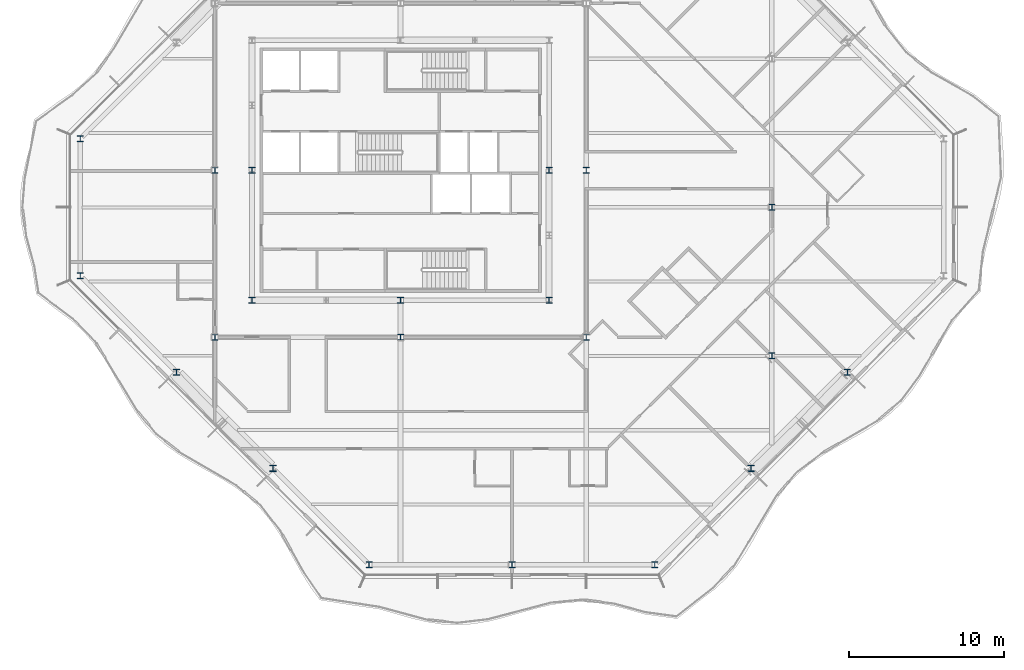
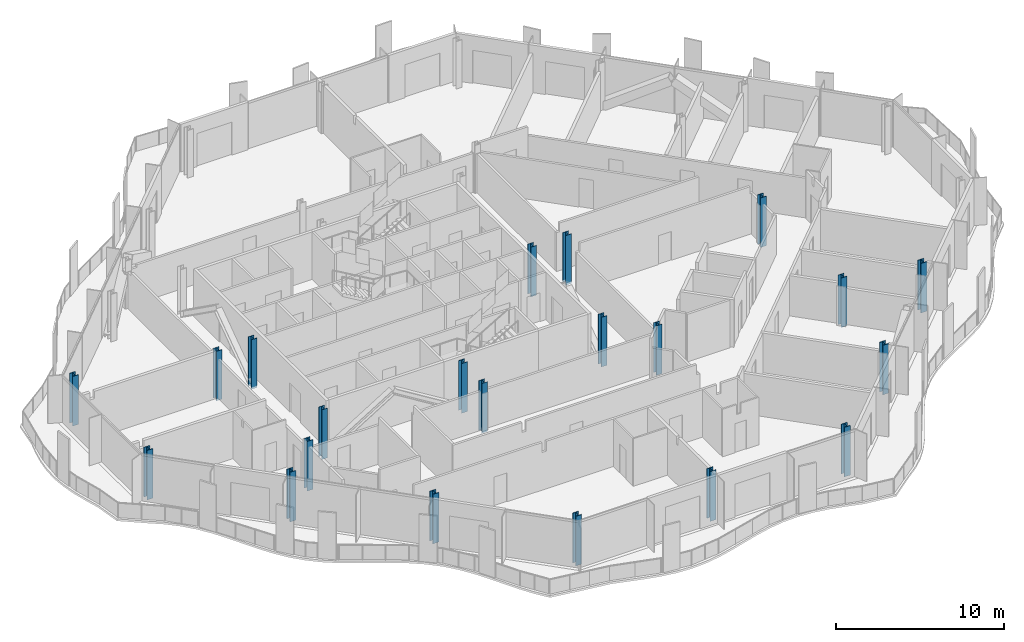
# One storey, part 1 of 17: 21 columns.
"""IFC4 building model written with IfcOpenShell, lengths in metres."""

from ifc_helpers import new_model, si_unit, direction, frame, origin, origin_2d, place, context, subcontext, project, spatial, i_section, extrude, material, material_profile, profile_set, type_object, element, save


model = new_model("IFC4")

# Units and contexts
model_context = context("Model", 3, precision=1e-05, world=origin(), true_north=direction((0.0, 1.0)))
body_context = subcontext(model_context, "Body", "Model", "MODEL_VIEW")
ifc_project = project(units=[si_unit("LENGTHUNIT", "METRE"), si_unit("AREAUNIT", "SQUARE_METRE"), si_unit("VOLUMEUNIT", "CUBIC_METRE"), si_unit("PLANEANGLEUNIT", "RADIAN"), si_unit("MASSUNIT", "GRAM", prefix="KILO")], contexts=[model_context])

# Site, building, storey
site_placement = place(None, origin())
site = spatial("IfcSite", under=ifc_project, at=site_placement, CompositionType="ELEMENT")
building_placement = place(site_placement, origin())
building = spatial("IfcBuilding", under=site, at=building_placement, Name="Cairn Pilgrim Tower", CompositionType="ELEMENT")
storey_placement = place(building_placement, frame((0.0, 0.0, 246.60009765625)))
storey = spatial("IfcBuildingStorey", under=building, at=storey_placement, Name="L63", CompositionType="ELEMENT", Elevation=246.60009765625)

# Columns
ifc_material_1 = material(Name="Structural steel S355J2", Category="steel")
ifc_material_profile_1 = material_profile(ifc_material_1, i_section(OverallWidth=0.39404296875, OverallDepth=0.375, WebThickness=0.017333984375, FlangeThickness=0.027587890625, FilletRadius=0.014892578125, at=origin_2d()), Name="HD 400x216")
ifc_profile_set_1 = profile_set([ifc_material_profile_1], Name="Structural steel S355J2")
column_type_1 = type_object("IfcColumnType", Name="HD 400x216", PredefinedType="COLUMN", material=ifc_profile_set_1)
for number, where, z_axis, x_axis, name in (
    (1, (-4.800048828125, -8.39990234375, -0.150146484375), (0.0, 0.0, 1.0), (1.0, 0.0, 0.0), "IC-1"),
    (2, (7.199951171875, -8.39990234375, -0.150146484375), (0.0, 0.0, 1.0), (1.0, 0.0, 0.0), "IC-2"),
    (3, (19.199951171875, -8.39990234375, -0.150146484375), (0.0, 0.0, 1.0), (1.0, 0.0, 0.0), "IC-3"),
    (4, (-4.800048828125, 2.39990234375, -0.150146484375), (0.0, 0.0, 1.0), (1.0, 0.0, 0.0), "IC-4"),
    (5, (19.199951171875, 2.39990234375, -0.150146484375), (0.0, 0.0, 1.0), (1.0, 0.0, 0.0), "IC-5"),
):
    element("IfcColumn", number, at=place(storey_placement, frame(where, z_axis=z_axis, x_axis=x_axis)), inside=storey, type_object=column_type_1, Name=name, PredefinedType="COLUMN", context=body_context, shape_type="SweptSolid", body=[
        extrude(i_section(OverallWidth=0.39404296875, OverallDepth=0.375, WebThickness=0.017333984375, FlangeThickness=0.027587890625, FilletRadius=0.014892578125, at=origin_2d()), origin(), (0.0, 0.0, 1.0), 3.60009765625),
    ])
ifc_material_profile_2 = material_profile(ifc_material_1, i_section(OverallWidth=0.39794921875, OverallDepth=0.386962890625, WebThickness=0.02099609375, FlangeThickness=0.033203125, FilletRadius=0.014892578125, at=origin_2d()), Name="HD 400x262")
ifc_profile_set_2 = profile_set([ifc_material_profile_2], Name="Structural steel S355J2")
column_type_2 = type_object("IfcColumnType", Name="HD 400x262", PredefinedType="COLUMN", material=ifc_profile_set_2)
for number, where, z_axis, x_axis, name in (
    (6, (-2.39990234375, -6.0, -0.150146484375), (0.0, 0.0, 1.0), (1.0, 0.0, 0.0), "KC-1"),
    (7, (7.199951171875, -6.0, -0.150146484375), (0.0, 0.0, 1.0), (1.0, 0.0, 0.0), "KC-2"),
    (8, (16.800048828125, -6.0, -0.150146484375), (0.0, 0.0, 1.0), (1.0, 0.0, 0.0), "KC-3"),
    (9, (-2.39990234375, 2.39990234375, -0.150146484375), (0.0, 0.0, 1.0), (1.0, 0.0, 0.0), "KC-4"),
    (10, (16.800048828125, 2.39990234375, -0.150146484375), (0.0, 0.0, 1.0), (1.0, 0.0, 0.0), "KC-5"),
):
    element("IfcColumn", number, at=place(storey_placement, frame(where, z_axis=z_axis, x_axis=x_axis)), inside=storey, type_object=column_type_2, Name=name, PredefinedType="COLUMN", context=body_context, shape_type="SweptSolid", body=[
        extrude(i_section(OverallWidth=0.39794921875, OverallDepth=0.386962890625, WebThickness=0.02099609375, FlangeThickness=0.033203125, FilletRadius=0.014892578125, at=origin_2d()), origin(), (0.0, 0.0, 1.0), 3.60009765625),
    ])
ifc_material_profile_3 = material_profile(ifc_material_1, i_section(OverallWidth=0.39892578125, OverallDepth=0.39306640625, WebThickness=0.022705078125, FlangeThickness=0.03662109375, FilletRadius=0.014892578125, at=origin_2d()), Name="HD 400x287")
ifc_profile_set_3 = profile_set([ifc_material_profile_3], Name="Structural steel S355J2")
column_type_3 = type_object("IfcColumnType", Name="HD 400x287", PredefinedType="COLUMN", material=ifc_profile_set_3)
for number, where, z_axis, x_axis, name in (
    (11, (31.199951171875, -9.60009765625, -0.150146484375), (0.0, 0.0, 1.0), (1.0, 0.0, 0.0), "WC-WE-2"),
    (12, (31.199951171875, 0.0, -0.150146484375), (0.0, 0.0, 1.0), (1.0, 0.0, 0.0), "WC-WE+0"),
):
    element("IfcColumn", number, at=place(storey_placement, frame(where, z_axis=z_axis, x_axis=x_axis)), inside=storey, type_object=column_type_3, Name=name, PredefinedType="COLUMN", context=body_context, shape_type="SweptSolid", body=[
        extrude(i_section(OverallWidth=0.39892578125, OverallDepth=0.39306640625, WebThickness=0.022705078125, FlangeThickness=0.03662109375, FilletRadius=0.014892578125, at=origin_2d()), origin(), (0.0, 0.0, 1.0), 3.60009765625),
    ])
ifc_material_2 = material(Name="Structural steel S460M", Category="steel")
ifc_material_profile_4 = material_profile(ifc_material_2, i_section(OverallWidth=0.404052734375, OverallDepth=0.406982421875, WebThickness=0.027099609375, FlangeThickness=0.043701171875, FilletRadius=0.014892578125, at=origin_2d()), Name="HD 400x347")
ifc_profile_set_4 = profile_set([ifc_material_profile_4], Name="Structural steel S460M")
column_type_4 = type_object("IfcColumnType", Name="HD 400x347", PredefinedType="COLUMN", material=ifc_profile_set_4)
for number, where, z_axis, x_axis, name in (
    (13, (5.1728515625, -23.10009765625, -0.150146484375), (0.0, 0.0, 1.0), (1.0, 0.0, 0.0), "PC3-S1"),
    (14, (14.39990234375, -23.10009765625, -0.150146484375), (0.0, 0.0, 1.0), (1.0, 0.0, 0.0), "PC3-S2"),
    (15, (23.627197265625, -23.10009765625, -0.150146484375), (0.0, 0.0, 1.0), (1.0, 0.0, 0.0), "PC3-SE1"),
    (16, (29.8515625, -16.875732421875, -0.150146484375), (0.0, 0.0, 1.0), (1.0, 0.0, 0.0), "PC3-SE2"),
    (17, (36.07568359375, -10.651611328125, -0.150146484375), (0.0, 0.0, 1.0), (1.0, 0.0, 0.0), "PC3-SE3"),
    (18, (-13.5, 4.42724609375, -0.150146484375), (0.0, 0.0, 1.0), (1.0, 0.0, 0.0), "PC3-W1"),
    (19, (-13.5, -4.42724609375, -0.150146484375), (0.0, 0.0, 1.0), (1.0, 0.0, 0.0), "PC3-SW1"),
    (20, (-7.275634765625, -10.651611328125, -0.150146484375), (0.0, 0.0, 1.0), (1.0, 0.0, 0.0), "PC3-SW2"),
    (21, (-1.051513671875, -16.875732421875, -0.150146484375), (0.0, 0.0, 1.0), (1.0, 0.0, 0.0), "PC3-SW3"),
):
    element("IfcColumn", number, at=place(storey_placement, frame(where, z_axis=z_axis, x_axis=x_axis)), inside=storey, type_object=column_type_4, Name=name, PredefinedType="COLUMN", context=body_context, shape_type="SweptSolid", body=[
        extrude(i_section(OverallWidth=0.404052734375, OverallDepth=0.406982421875, WebThickness=0.027099609375, FlangeThickness=0.043701171875, FilletRadius=0.014892578125, at=origin_2d()), origin(), (0.0, 0.0, 1.0), 3.60009765625),
    ])

save(model, "model.ifc")
